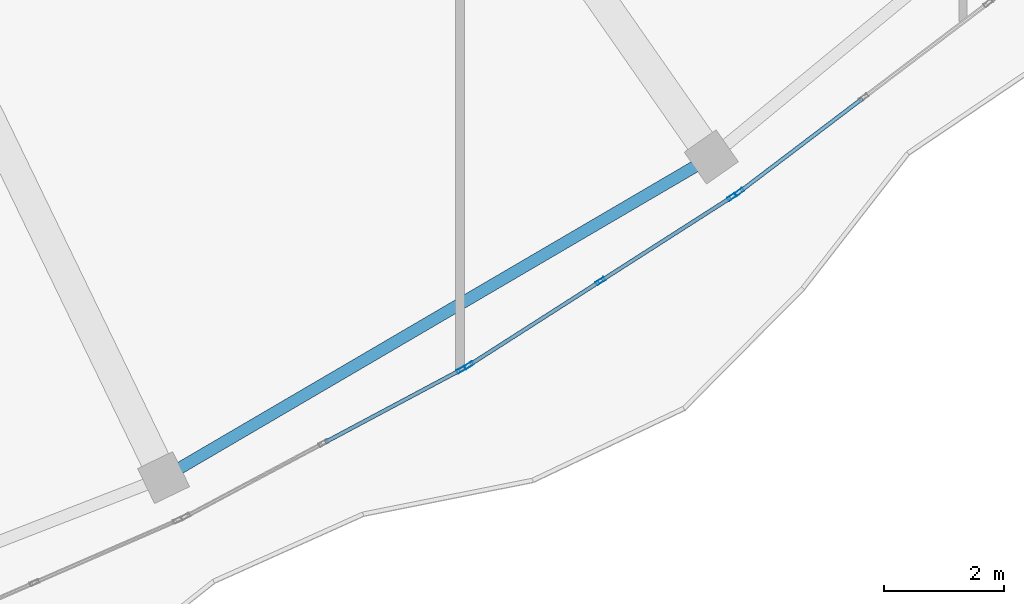
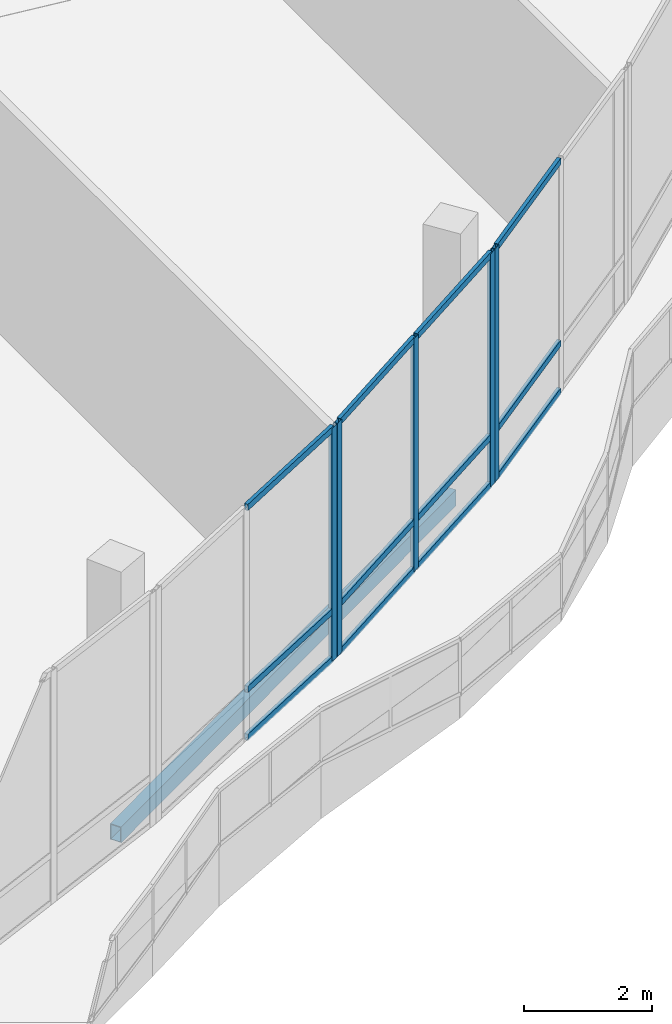
# One storey, part 40 of 155: 17 members, 1 beam, 3 elements without a shape of their own.
"""IFC4 building model written with IfcOpenShell, lengths in metres."""

from ifc_helpers import new_model, si_unit, direction, frame, origin, origin_2d, place, context, subcontext, project, spatial, hollow_rectangle, extrude, material, material_profile, profile_set, type_object, element, aggregate, save


model = new_model("IFC4")

# Units and contexts
model_context = context("Model", 3, precision=1e-05, world=origin(), true_north=direction((0.0, 1.0)))
body_context = subcontext(model_context, "Body", "Model", "MODEL_VIEW")
ifc_project = project(units=[si_unit("LENGTHUNIT", "METRE"), si_unit("AREAUNIT", "SQUARE_METRE"), si_unit("VOLUMEUNIT", "CUBIC_METRE"), si_unit("PLANEANGLEUNIT", "RADIAN"), si_unit("MASSUNIT", "GRAM", prefix="KILO")], contexts=[model_context])

# Site, building, storey
site_placement = place(None, origin())
site = spatial("IfcSite", under=ifc_project, at=site_placement, CompositionType="ELEMENT")
building_placement = place(site_placement, origin())
building = spatial("IfcBuilding", under=site, at=building_placement, Name="Selatvlak General Hospital", CompositionType="ELEMENT")
storey_placement = place(building_placement, frame((0.0, 0.0, 10.199951171875)))
storey = spatial("IfcBuildingStorey", under=building, at=storey_placement, Name="L02", CompositionType="ELEMENT", Elevation=10.199951171875)

# Beam
ifc_material_1 = material(Name="Steel S355", Category="steel")
ifc_material_profile_1 = material_profile(ifc_material_1, hollow_rectangle(XDim=0.199951171875, YDim=0.300048828125, WallThickness=0.011962890625, at=origin_2d()), Name="RHS 300x200x12")
ifc_profile_set_1 = profile_set([ifc_material_profile_1], Name="Steel S355")
beam_type = type_object("IfcBeamType", Name="BM-SP3", PredefinedType="SPANDREL", material=ifc_profile_set_1)
beam_placement = place(storey_placement, frame((85.0439453125, 19.39990234375, -0.5048828125), z_axis=(0.862997086305, 0.505208896427, 0.0), x_axis=(-0.505208896427, 0.862997086305, 0.0)))
element("IfcBeam", 1, at=beam_placement, inside=storey, type_object=beam_type, Name="Beam BMR-L02-1144", PredefinedType="SPANDREL", context=body_context, shape_type="SweptSolid", body=[
    extrude(hollow_rectangle(XDim=0.199951171875, YDim=0.300048828125, WallThickness=0.011962890625, at=origin_2d()), origin(), (0.0, 0.0, 1.0), 10.60400390625),
])

# Curtain wall, member
ifc_material_2 = material(Name="Solar-control Low-E double glazing", Category="glass")
curtain_wall_type_1 = type_object("IfcCurtainWallType", Name="CW-CW-02", PredefinedType="USERDEFINED", material=ifc_material_2)
curtain_wall_1_placement = place(storey_placement, origin())
curtain_wall_1 = element("IfcCurtainWall", 2, at=curtain_wall_1_placement, inside=storey, type_object=curtain_wall_type_1, Name="Glazed facade curtain wall CW-L02-0298", ObjectType="UNITISED CURTAIN WALL", PredefinedType="USERDEFINED")
ifc_material_3 = material(Name="Dark anodised aluminium mullion", Category="aluminium")
ifc_material_profile_2 = material_profile(ifc_material_3, hollow_rectangle(XDim=0.06494140625, YDim=0.159912109375, WallThickness=0.00390625, at=origin_2d()), Name="AL-MUL 65x160x4")
ifc_profile_set_2 = profile_set([ifc_material_profile_2], Name="Dark anodised aluminium mullion")
member_type_1 = type_object("IfcMemberType", Name="CWM-01", PredefinedType="MULLION", material=ifc_profile_set_2)
member_1_placement = place(storey_placement, frame((94.662841796875, 24.171630859375, 0.0), z_axis=(0.0, 0.0, 1.0), x_axis=(0.60458927489, -0.796537386874, 0.0)))
member_1 = element("IfcMember", 3, at=member_1_placement, type_object=member_type_1, Name="CW-02 mullion 3", PredefinedType="MULLION", context=body_context, shape_type="SweptSolid", body=[
    extrude(hollow_rectangle(XDim=0.06494140625, YDim=0.159912109375, WallThickness=0.00390625, at=origin_2d()), origin(), (0.0, 0.0, 1.0), 4.4599609375),
])

# Curtain wall, members
curtain_wall_type_2 = type_object("IfcCurtainWallType", Name="CW-CW-01", PredefinedType="USERDEFINED", material=ifc_material_2)
curtain_wall_2_placement = place(storey_placement, origin())
curtain_wall_2 = element("IfcCurtainWall", 4, at=curtain_wall_2_placement, inside=storey, type_object=curtain_wall_type_2, Name="Glazed facade curtain wall CW-L02-0299", ObjectType="UNITISED CURTAIN WALL", PredefinedType="USERDEFINED")
member_2_placement = place(storey_placement, frame((94.542724609375, 24.090576171875, 0.0), z_axis=(0.0, 0.0, 1.0), x_axis=(0.539064431086, -0.842264530381, 0.0)))
member_2 = element("IfcMember", 5, at=member_2_placement, type_object=member_type_1, Name="CW-01 mullion 1", PredefinedType="MULLION", context=body_context, shape_type="SweptSolid", body=[
    extrude(hollow_rectangle(XDim=0.06494140625, YDim=0.159912109375, WallThickness=0.00390625, at=origin_2d()), origin(), (0.0, 0.0, 1.0), 4.4599609375),
])
member_3_placement = place(storey_placement, frame((92.343505859375, 22.68310546875, 0.0), z_axis=(0.0, 0.0, 1.0), x_axis=(0.539064431086, -0.842264530381, 0.0)))
member_3 = element("IfcMember", 6, at=member_3_placement, type_object=member_type_1, Name="CW-01 mullion 2", PredefinedType="MULLION", context=body_context, shape_type="SweptSolid", body=[
    extrude(hollow_rectangle(XDim=0.06494140625, YDim=0.159912109375, WallThickness=0.00390625, at=origin_2d()), origin(), (0.0, 0.0, 1.0), 4.4599609375),
])
member_4_placement = place(storey_placement, frame((90.144287109375, 21.275634765625, 0.0), z_axis=(0.0, 0.0, 1.0), x_axis=(0.539064431086, -0.842264530381, 0.0)))
member_4 = element("IfcMember", 7, at=member_4_placement, type_object=member_type_1, Name="CW-01 mullion 3", PredefinedType="MULLION", context=body_context, shape_type="SweptSolid", body=[
    extrude(hollow_rectangle(XDim=0.06494140625, YDim=0.159912109375, WallThickness=0.00390625, at=origin_2d()), origin(), (0.0, 0.0, 1.0), 4.4599609375),
])

# Curtain wall, member
curtain_wall_3_placement = place(storey_placement, origin())
curtain_wall_3 = element("IfcCurtainWall", 8, at=curtain_wall_3_placement, inside=storey, type_object=curtain_wall_type_1, Name="Glazed facade curtain wall CW-L02-0300", ObjectType="UNITISED CURTAIN WALL", PredefinedType="USERDEFINED")
member_5_placement = place(storey_placement, frame((90.018310546875, 21.20361328125, 0.0), z_axis=(0.0, 0.0, 1.0), x_axis=(0.470450719515, -0.882426269162, 0.0)))
member_5 = element("IfcMember", 9, at=member_5_placement, type_object=member_type_1, Name="CW-02 mullion 1", PredefinedType="MULLION", context=body_context, shape_type="SweptSolid", body=[
    extrude(hollow_rectangle(XDim=0.06494140625, YDim=0.159912109375, WallThickness=0.00390625, at=origin_2d()), origin(), (0.0, 0.0, 1.0), 4.4599609375),
])

# Member
ifc_material_profile_3 = material_profile(ifc_material_3, hollow_rectangle(XDim=0.06494140625, YDim=0.1201171875, WallThickness=0.00390625, at=origin_2d()), Name="AL-TRN 65x120x4")
ifc_profile_set_3 = profile_set([ifc_material_profile_3], Name="Dark anodised aluminium mullion")
member_type_2 = type_object("IfcMemberType", Name="CWT-01", PredefinedType="USERDEFINED", material=ifc_profile_set_3)
member_6_placement = place(storey_placement, frame((96.717041015625, 25.73095703125, 0.032470703125), z_axis=(-0.796535238332, -0.604592105552, 0.0), x_axis=(0.604592105552, -0.796535238332, 0.0)))
member_6 = element("IfcMember", 10, at=member_6_placement, type_object=member_type_2, Name="CW-02 transom 2.1", ObjectType="TRANSOM", PredefinedType="USERDEFINED", context=body_context, shape_type="SweptSolid", body=[
    extrude(hollow_rectangle(XDim=0.06494140625, YDim=0.1201171875, WallThickness=0.00390625, at=origin_2d()), origin(), (0.0, 0.0, 1.0), 2.54638671875),
])

member_7_placement = place(storey_placement, frame((96.717041015625, 25.73095703125, 0.949951171875), z_axis=(-0.796535238332, -0.604592105552, 0.0), x_axis=(0.604592105552, -0.796535238332, 0.0)))
member_7 = element("IfcMember", 11, at=member_7_placement, type_object=member_type_2, Name="CW-02 transom 2.2", ObjectType="TRANSOM", PredefinedType="USERDEFINED", context=body_context, shape_type="SweptSolid", body=[
    extrude(hollow_rectangle(XDim=0.06494140625, YDim=0.1201171875, WallThickness=0.00390625, at=origin_2d()), origin(), (0.0, 0.0, 1.0), 2.54638671875),
])

member_8_placement = place(storey_placement, frame((96.717041015625, 25.73095703125, 4.427490234375), z_axis=(-0.796535238332, -0.604592105552, 0.0), x_axis=(0.604592105552, -0.796535238332, 0.0)))
member_8 = element("IfcMember", 12, at=member_8_placement, type_object=member_type_2, Name="CW-02 transom 2.3", ObjectType="TRANSOM", PredefinedType="USERDEFINED", context=body_context, shape_type="SweptSolid", body=[
    extrude(hollow_rectangle(XDim=0.06494140625, YDim=0.1201171875, WallThickness=0.00390625, at=origin_2d()), origin(), (0.0, 0.0, 1.0), 2.54638671875),
])

aggregate(curtain_wall_1, [member_1, member_6, member_7, member_8])

member_9_placement = place(storey_placement, frame((94.51513671875, 24.072998046875, 0.032470703125), z_axis=(-0.842233084651, -0.539113560504, 0.0), x_axis=(0.539113560504, -0.842233084651, 0.0)))
member_9 = element("IfcMember", 13, at=member_9_placement, type_object=member_type_2, Name="CW-01 transom 1.1", ObjectType="TRANSOM", PredefinedType="USERDEFINED", context=body_context, shape_type="SweptSolid", body=[
    extrude(hollow_rectangle(XDim=0.06494140625, YDim=0.1201171875, WallThickness=0.00390625, at=origin_2d()), origin(), (0.0, 0.0, 1.0), 2.5458984375),
])

member_10_placement = place(storey_placement, frame((94.51513671875, 24.072998046875, 0.949951171875), z_axis=(-0.842233084651, -0.539113560504, 0.0), x_axis=(0.539113560504, -0.842233084651, 0.0)))
member_10 = element("IfcMember", 14, at=member_10_placement, type_object=member_type_2, Name="CW-01 transom 1.2", ObjectType="TRANSOM", PredefinedType="USERDEFINED", context=body_context, shape_type="SweptSolid", body=[
    extrude(hollow_rectangle(XDim=0.06494140625, YDim=0.1201171875, WallThickness=0.00390625, at=origin_2d()), origin(), (0.0, 0.0, 1.0), 2.5458984375),
])

member_11_placement = place(storey_placement, frame((94.51513671875, 24.072998046875, 4.427490234375), z_axis=(-0.842233084651, -0.539113560504, 0.0), x_axis=(0.539113560504, -0.842233084651, 0.0)))
member_11 = element("IfcMember", 15, at=member_11_placement, type_object=member_type_2, Name="CW-01 transom 1.3", ObjectType="TRANSOM", PredefinedType="USERDEFINED", context=body_context, shape_type="SweptSolid", body=[
    extrude(hollow_rectangle(XDim=0.06494140625, YDim=0.1201171875, WallThickness=0.00390625, at=origin_2d()), origin(), (0.0, 0.0, 1.0), 2.5458984375),
])

member_12_placement = place(storey_placement, frame((92.316162109375, 22.66552734375, 0.032470703125), z_axis=(-0.842260952106, -0.539070021942, 0.0), x_axis=(0.539070021942, -0.842260952106, 0.0)))
member_12 = element("IfcMember", 16, at=member_12_placement, type_object=member_type_2, Name="CW-01 transom 2.1", ObjectType="TRANSOM", PredefinedType="USERDEFINED", context=body_context, shape_type="SweptSolid", body=[
    extrude(hollow_rectangle(XDim=0.06494140625, YDim=0.1201171875, WallThickness=0.00390625, at=origin_2d()), origin(), (0.0, 0.0, 1.0), 2.546142578125),
])

member_13_placement = place(storey_placement, frame((92.316162109375, 22.66552734375, 0.949951171875), z_axis=(-0.842260952106, -0.539070021942, 0.0), x_axis=(0.539070021942, -0.842260952106, 0.0)))
member_13 = element("IfcMember", 17, at=member_13_placement, type_object=member_type_2, Name="CW-01 transom 2.2", ObjectType="TRANSOM", PredefinedType="USERDEFINED", context=body_context, shape_type="SweptSolid", body=[
    extrude(hollow_rectangle(XDim=0.06494140625, YDim=0.1201171875, WallThickness=0.00390625, at=origin_2d()), origin(), (0.0, 0.0, 1.0), 2.546142578125),
])

member_14_placement = place(storey_placement, frame((92.316162109375, 22.66552734375, 4.427490234375), z_axis=(-0.842260952106, -0.539070021942, 0.0), x_axis=(0.539070021942, -0.842260952106, 0.0)))
member_14 = element("IfcMember", 18, at=member_14_placement, type_object=member_type_2, Name="CW-01 transom 2.3", ObjectType="TRANSOM", PredefinedType="USERDEFINED", context=body_context, shape_type="SweptSolid", body=[
    extrude(hollow_rectangle(XDim=0.06494140625, YDim=0.1201171875, WallThickness=0.00390625, at=origin_2d()), origin(), (0.0, 0.0, 1.0), 2.546142578125),
])

aggregate(curtain_wall_2, [member_2, member_3, member_4, member_9, member_10, member_11, member_12, member_13, member_14])

member_15_placement = place(storey_placement, frame((89.98974609375, 21.1884765625, 0.032470703125), z_axis=(-0.882416668919, -0.470468726286, 0.0), x_axis=(0.470468726286, -0.882416668919, 0.0)))
member_15 = element("IfcMember", 19, at=member_15_placement, type_object=member_type_2, Name="CW-02 transom 1.1", ObjectType="TRANSOM", PredefinedType="USERDEFINED", context=body_context, shape_type="SweptSolid", body=[
    extrude(hollow_rectangle(XDim=0.06494140625, YDim=0.1201171875, WallThickness=0.00390625, at=origin_2d()), origin(), (0.0, 0.0, 1.0), 2.544921875),
])

member_16_placement = place(storey_placement, frame((89.98974609375, 21.1884765625, 0.949951171875), z_axis=(-0.882416668919, -0.470468726286, 0.0), x_axis=(0.470468726286, -0.882416668919, 0.0)))
member_16 = element("IfcMember", 20, at=member_16_placement, type_object=member_type_2, Name="CW-02 transom 1.2", ObjectType="TRANSOM", PredefinedType="USERDEFINED", context=body_context, shape_type="SweptSolid", body=[
    extrude(hollow_rectangle(XDim=0.06494140625, YDim=0.1201171875, WallThickness=0.00390625, at=origin_2d()), origin(), (0.0, 0.0, 1.0), 2.544921875),
])

member_17_placement = place(storey_placement, frame((89.98974609375, 21.1884765625, 4.427490234375), z_axis=(-0.882416668919, -0.470468726286, 0.0), x_axis=(0.470468726286, -0.882416668919, 0.0)))
member_17 = element("IfcMember", 21, at=member_17_placement, type_object=member_type_2, Name="CW-02 transom 1.3", ObjectType="TRANSOM", PredefinedType="USERDEFINED", context=body_context, shape_type="SweptSolid", body=[
    extrude(hollow_rectangle(XDim=0.06494140625, YDim=0.1201171875, WallThickness=0.00390625, at=origin_2d()), origin(), (0.0, 0.0, 1.0), 2.544921875),
])

aggregate(curtain_wall_3, [member_5, member_15, member_16, member_17])

save(model, "model.ifc")
